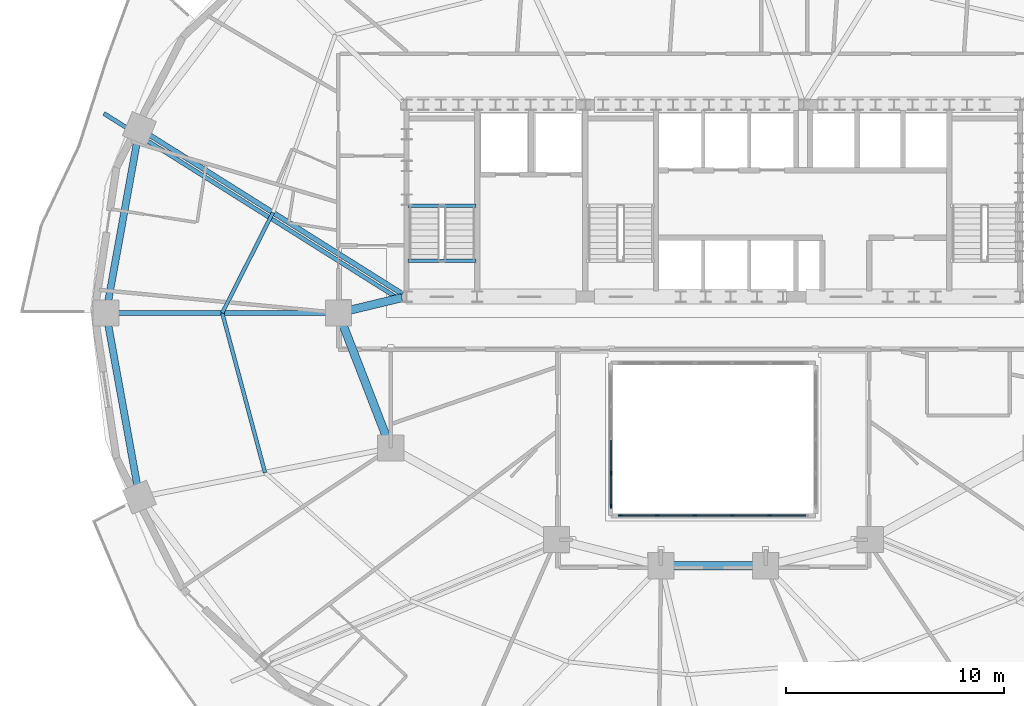
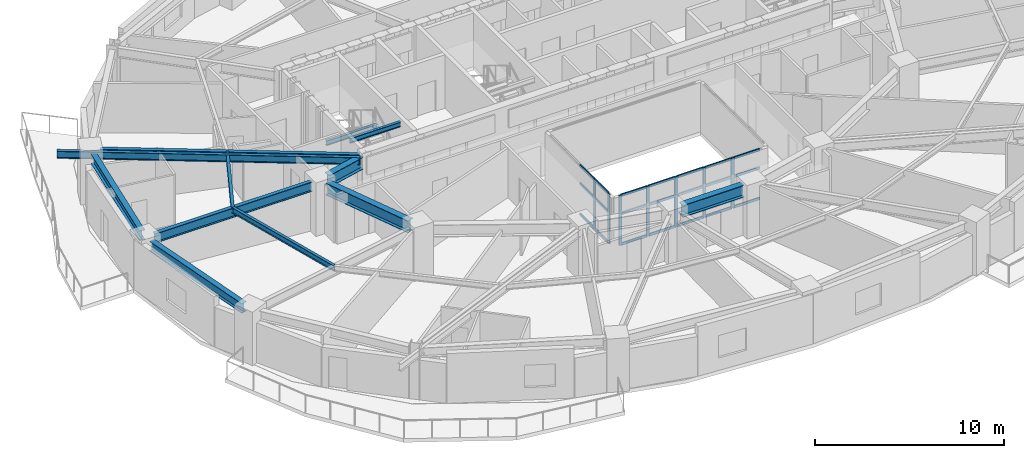
# One storey, part 2 of 14: 28 members, 12 beams, 2 elements without a shape of their own.
"""IFC4 building model written with IfcOpenShell, lengths in metres."""

from ifc_helpers import new_model, si_unit, direction, frame, origin, origin_2d, place, context, subcontext, project, spatial, rectangle, i_section, extrude, material, material_profile, profile_set, type_object, element, aggregate, save


model = new_model("IFC4")

# Units and contexts
model_context = context("Model", 3, precision=1e-05, world=origin(), true_north=direction((0.0, 1.0)))
body_context = subcontext(model_context, "Body", "Model", "MODEL_VIEW")
ifc_project = project(units=[si_unit("LENGTHUNIT", "METRE"), si_unit("AREAUNIT", "SQUARE_METRE"), si_unit("VOLUMEUNIT", "CUBIC_METRE"), si_unit("PLANEANGLEUNIT", "RADIAN"), si_unit("MASSUNIT", "GRAM", prefix="KILO")], contexts=[model_context])

# Site, building, storey
site_placement = place(None, origin())
site = spatial("IfcSite", under=ifc_project, at=site_placement, CompositionType="ELEMENT")
building_placement = place(site_placement, origin())
building = spatial("IfcBuilding", under=site, at=building_placement, Name="Haldorwick Loom Tower", CompositionType="ELEMENT")
storey_placement = place(building_placement, frame((0.0, 0.0, 99.050048828125)))
storey = spatial("IfcBuildingStorey", under=building, at=storey_placement, Name="L26", CompositionType="ELEMENT", Elevation=99.050048828125)

# Curtain wall, members
ifc_material_1 = material(Name="Thermally Broken Anodized Aluminium Curtain Wall Framing", Category="aluminium")
curtain_wall_type = type_object("IfcCurtainWallType", Name="ARC-CW-03", PredefinedType="NOTDEFINED", material=ifc_material_1)
curtain_wall_1_placement = place(storey_placement, origin())
curtain_wall_1 = element("IfcCurtainWall", 1, at=curtain_wall_1_placement, inside=storey, type_object=curtain_wall_type, Name="L26 Atrium Glazed Screen S", PredefinedType="NOTDEFINED")
ifc_material_profile_1 = material_profile(ifc_material_1, rectangle(XDim=0.06591796875, YDim=0.18505859375, at=origin_2d()), Name="ALU_MUL_66X185", Category="aluminium")
ifc_profile_set_1 = profile_set([ifc_material_profile_1], Name="Thermally Broken Anodized Aluminium Curtain Wall Framing")
member_type_1 = type_object("IfcMemberType", Name="ARC-CWM-03", PredefinedType="MULLION", material=ifc_profile_set_1)
member_1_placement = place(storey_placement, frame((38.580078125, 16.699951171875, 0.0), z_axis=(0.0, 0.0, 1.0), x_axis=(0.0, -1.0, 0.0)))
member_1 = element("IfcMember", 2, at=member_1_placement, type_object=member_type_1, Name="CW-03 mullion 2", PredefinedType="MULLION", context=body_context, shape_type="SweptSolid", body=[
    extrude(rectangle(XDim=0.06591796875, YDim=0.18505859375, at=origin_2d()), origin(), (0.0, 0.0, 1.0), 3.2099609375),
])
member_2_placement = place(storey_placement, frame((36.860107421875, 16.699951171875, 0.0), z_axis=(0.0, 0.0, 1.0), x_axis=(0.0, -1.0, 0.0)))
member_2 = element("IfcMember", 3, at=member_2_placement, type_object=member_type_1, Name="CW-03 mullion 3", PredefinedType="MULLION", context=body_context, shape_type="SweptSolid", body=[
    extrude(rectangle(XDim=0.06591796875, YDim=0.18505859375, at=origin_2d()), origin(), (0.0, 0.0, 1.0), 3.2099609375),
])
member_3_placement = place(storey_placement, frame((35.139892578125, 16.699951171875, 0.0), z_axis=(0.0, 0.0, 1.0), x_axis=(0.0, -1.0, 0.0)))
member_3 = element("IfcMember", 4, at=member_3_placement, type_object=member_type_1, Name="CW-03 mullion 4", PredefinedType="MULLION", context=body_context, shape_type="SweptSolid", body=[
    extrude(rectangle(XDim=0.06591796875, YDim=0.18505859375, at=origin_2d()), origin(), (0.0, 0.0, 1.0), 3.2099609375),
])
member_4_placement = place(storey_placement, frame((33.419921875, 16.699951171875, 0.0), z_axis=(0.0, 0.0, 1.0), x_axis=(0.0, -1.0, 0.0)))
member_4 = element("IfcMember", 5, at=member_4_placement, type_object=member_type_1, Name="CW-03 mullion 5", PredefinedType="MULLION", context=body_context, shape_type="SweptSolid", body=[
    extrude(rectangle(XDim=0.06591796875, YDim=0.18505859375, at=origin_2d()), origin(), (0.0, 0.0, 1.0), 3.2099609375),
])
member_5_placement = place(storey_placement, frame((31.73291015625, 16.699951171875, 0.0), z_axis=(0.0, 0.0, 1.0), x_axis=(0.0, -1.0, 0.0)))
member_5 = element("IfcMember", 6, at=member_5_placement, type_object=member_type_1, Name="CW-03 mullion 6", PredefinedType="MULLION", context=body_context, shape_type="SweptSolid", body=[
    extrude(rectangle(XDim=0.06591796875, YDim=0.18505859375, at=origin_2d()), origin(), (0.0, 0.0, 1.0), 3.2099609375),
])

curtain_wall_2_placement = place(storey_placement, origin())
curtain_wall_2 = element("IfcCurtainWall", 7, at=curtain_wall_2_placement, inside=storey, type_object=curtain_wall_type, Name="L26 Atrium Glazed Screen W", PredefinedType="NOTDEFINED")
member_6_placement = place(storey_placement, frame((31.300048828125, 17.133056640625, 0.0), z_axis=(0.0, 0.0, 1.0), x_axis=(-1.0, 0.0, 0.0)))
member_6 = element("IfcMember", 8, at=member_6_placement, type_object=member_type_1, Name="CW-03 mullion 1", PredefinedType="MULLION", context=body_context, shape_type="SweptSolid", body=[
    extrude(rectangle(XDim=0.06591796875, YDim=0.18505859375, at=origin_2d()), origin(), (0.0, 0.0, 1.0), 3.2099609375),
])
member_7_placement = place(storey_placement, frame((31.300048828125, 18.64990234375, 0.0), z_axis=(0.0, 0.0, 1.0), x_axis=(-1.0, 0.0, 0.0)))
member_7 = element("IfcMember", 9, at=member_7_placement, type_object=member_type_1, Name="CW-03 mullion 2", PredefinedType="MULLION", context=body_context, shape_type="SweptSolid", body=[
    extrude(rectangle(XDim=0.06591796875, YDim=0.18505859375, at=origin_2d()), origin(), (0.0, 0.0, 1.0), 3.2099609375),
])

# Member
ifc_material_profile_2 = material_profile(ifc_material_1, rectangle(XDim=0.06591796875, YDim=0.1650390625, at=origin_2d()), Name="ALU_TRN_66X165", Category="aluminium")
ifc_profile_set_2 = profile_set([ifc_material_profile_2], Name="Thermally Broken Anodized Aluminium Curtain Wall Framing")
member_type_2 = type_object("IfcMemberType", Name="ARC-CWT-03", PredefinedType="USERDEFINED", material=ifc_profile_set_2)
member_8_placement = place(storey_placement, frame((40.23388671875, 16.699951171875, 0.032958984375), z_axis=(-1.0, 0.0, 0.0), x_axis=(0.0, -1.0, 0.0)))
member_8 = element("IfcMember", 10, at=member_8_placement, type_object=member_type_2, Name="CW-03 transom 1.1", ObjectType="TRANSOM", PredefinedType="USERDEFINED", context=body_context, shape_type="SweptSolid", body=[
    extrude(rectangle(XDim=0.06591796875, YDim=0.1650390625, at=origin_2d()), origin(), (0.0, 0.0, 1.0), 1.620849609375),
])

member_9_placement = place(storey_placement, frame((40.23388671875, 16.699951171875, 2.0), z_axis=(-1.0, 0.0, 0.0), x_axis=(0.0, -1.0, 0.0)))
member_9 = element("IfcMember", 11, at=member_9_placement, type_object=member_type_2, Name="CW-03 transom 1.2", ObjectType="TRANSOM", PredefinedType="USERDEFINED", context=body_context, shape_type="SweptSolid", body=[
    extrude(rectangle(XDim=0.06591796875, YDim=0.1650390625, at=origin_2d()), origin(), (0.0, 0.0, 1.0), 1.620849609375),
])

member_10_placement = place(storey_placement, frame((40.23388671875, 16.699951171875, 3.177001953125), z_axis=(-1.0, 0.0, 0.0), x_axis=(0.0, -1.0, 0.0)))
member_10 = element("IfcMember", 12, at=member_10_placement, type_object=member_type_2, Name="CW-03 transom 1.3", ObjectType="TRANSOM", PredefinedType="USERDEFINED", context=body_context, shape_type="SweptSolid", body=[
    extrude(rectangle(XDim=0.06591796875, YDim=0.1650390625, at=origin_2d()), origin(), (0.0, 0.0, 1.0), 1.620849609375),
])

member_11_placement = place(storey_placement, frame((38.547119140625, 16.699951171875, 0.032958984375), z_axis=(-1.0, 0.0, 0.0), x_axis=(0.0, -1.0, 0.0)))
member_11 = element("IfcMember", 13, at=member_11_placement, type_object=member_type_2, Name="CW-03 transom 2.1", ObjectType="TRANSOM", PredefinedType="USERDEFINED", context=body_context, shape_type="SweptSolid", body=[
    extrude(rectangle(XDim=0.06591796875, YDim=0.1650390625, at=origin_2d()), origin(), (0.0, 0.0, 1.0), 1.654052734375),
])

member_12_placement = place(storey_placement, frame((38.547119140625, 16.699951171875, 2.0), z_axis=(-1.0, 0.0, 0.0), x_axis=(0.0, -1.0, 0.0)))
member_12 = element("IfcMember", 14, at=member_12_placement, type_object=member_type_2, Name="CW-03 transom 2.2", ObjectType="TRANSOM", PredefinedType="USERDEFINED", context=body_context, shape_type="SweptSolid", body=[
    extrude(rectangle(XDim=0.06591796875, YDim=0.1650390625, at=origin_2d()), origin(), (0.0, 0.0, 1.0), 1.654052734375),
])

member_13_placement = place(storey_placement, frame((38.547119140625, 16.699951171875, 3.177001953125), z_axis=(-1.0, 0.0, 0.0), x_axis=(0.0, -1.0, 0.0)))
member_13 = element("IfcMember", 15, at=member_13_placement, type_object=member_type_2, Name="CW-03 transom 2.3", ObjectType="TRANSOM", PredefinedType="USERDEFINED", context=body_context, shape_type="SweptSolid", body=[
    extrude(rectangle(XDim=0.06591796875, YDim=0.1650390625, at=origin_2d()), origin(), (0.0, 0.0, 1.0), 1.654052734375),
])

member_14_placement = place(storey_placement, frame((36.826904296875, 16.699951171875, 0.032958984375), z_axis=(-1.0, 0.0, 0.0), x_axis=(0.0, -1.0, 0.0)))
member_14 = element("IfcMember", 16, at=member_14_placement, type_object=member_type_2, Name="CW-03 transom 3.1", ObjectType="TRANSOM", PredefinedType="USERDEFINED", context=body_context, shape_type="SweptSolid", body=[
    extrude(rectangle(XDim=0.06591796875, YDim=0.1650390625, at=origin_2d()), origin(), (0.0, 0.0, 1.0), 1.65380859375),
])

member_15_placement = place(storey_placement, frame((36.826904296875, 16.699951171875, 2.0), z_axis=(-1.0, 0.0, 0.0), x_axis=(0.0, -1.0, 0.0)))
member_15 = element("IfcMember", 17, at=member_15_placement, type_object=member_type_2, Name="CW-03 transom 3.2", ObjectType="TRANSOM", PredefinedType="USERDEFINED", context=body_context, shape_type="SweptSolid", body=[
    extrude(rectangle(XDim=0.06591796875, YDim=0.1650390625, at=origin_2d()), origin(), (0.0, 0.0, 1.0), 1.65380859375),
])

member_16_placement = place(storey_placement, frame((36.826904296875, 16.699951171875, 3.177001953125), z_axis=(-1.0, 0.0, 0.0), x_axis=(0.0, -1.0, 0.0)))
member_16 = element("IfcMember", 18, at=member_16_placement, type_object=member_type_2, Name="CW-03 transom 3.3", ObjectType="TRANSOM", PredefinedType="USERDEFINED", context=body_context, shape_type="SweptSolid", body=[
    extrude(rectangle(XDim=0.06591796875, YDim=0.1650390625, at=origin_2d()), origin(), (0.0, 0.0, 1.0), 1.65380859375),
])

member_17_placement = place(storey_placement, frame((35.10693359375, 16.699951171875, 0.032958984375), z_axis=(-1.0, 0.0, 0.0), x_axis=(0.0, -1.0, 0.0)))
member_17 = element("IfcMember", 19, at=member_17_placement, type_object=member_type_2, Name="CW-03 transom 4.1", ObjectType="TRANSOM", PredefinedType="USERDEFINED", context=body_context, shape_type="SweptSolid", body=[
    extrude(rectangle(XDim=0.06591796875, YDim=0.1650390625, at=origin_2d()), origin(), (0.0, 0.0, 1.0), 1.654052734375),
])

member_18_placement = place(storey_placement, frame((35.10693359375, 16.699951171875, 2.0), z_axis=(-1.0, 0.0, 0.0), x_axis=(0.0, -1.0, 0.0)))
member_18 = element("IfcMember", 20, at=member_18_placement, type_object=member_type_2, Name="CW-03 transom 4.2", ObjectType="TRANSOM", PredefinedType="USERDEFINED", context=body_context, shape_type="SweptSolid", body=[
    extrude(rectangle(XDim=0.06591796875, YDim=0.1650390625, at=origin_2d()), origin(), (0.0, 0.0, 1.0), 1.654052734375),
])

member_19_placement = place(storey_placement, frame((35.10693359375, 16.699951171875, 3.177001953125), z_axis=(-1.0, 0.0, 0.0), x_axis=(0.0, -1.0, 0.0)))
member_19 = element("IfcMember", 21, at=member_19_placement, type_object=member_type_2, Name="CW-03 transom 4.3", ObjectType="TRANSOM", PredefinedType="USERDEFINED", context=body_context, shape_type="SweptSolid", body=[
    extrude(rectangle(XDim=0.06591796875, YDim=0.1650390625, at=origin_2d()), origin(), (0.0, 0.0, 1.0), 1.654052734375),
])

member_20_placement = place(storey_placement, frame((33.386962890625, 16.699951171875, 0.032958984375), z_axis=(-1.0, 0.0, 0.0), x_axis=(0.0, -1.0, 0.0)))
member_20 = element("IfcMember", 22, at=member_20_placement, type_object=member_type_2, Name="CW-03 transom 5.1", ObjectType="TRANSOM", PredefinedType="USERDEFINED", context=body_context, shape_type="SweptSolid", body=[
    extrude(rectangle(XDim=0.06591796875, YDim=0.1650390625, at=origin_2d()), origin(), (0.0, 0.0, 1.0), 1.620849609375),
])

member_21_placement = place(storey_placement, frame((33.386962890625, 16.699951171875, 2.0), z_axis=(-1.0, 0.0, 0.0), x_axis=(0.0, -1.0, 0.0)))
member_21 = element("IfcMember", 23, at=member_21_placement, type_object=member_type_2, Name="CW-03 transom 5.2", ObjectType="TRANSOM", PredefinedType="USERDEFINED", context=body_context, shape_type="SweptSolid", body=[
    extrude(rectangle(XDim=0.06591796875, YDim=0.1650390625, at=origin_2d()), origin(), (0.0, 0.0, 1.0), 1.620849609375),
])

member_22_placement = place(storey_placement, frame((33.386962890625, 16.699951171875, 3.177001953125), z_axis=(-1.0, 0.0, 0.0), x_axis=(0.0, -1.0, 0.0)))
member_22 = element("IfcMember", 24, at=member_22_placement, type_object=member_type_2, Name="CW-03 transom 5.3", ObjectType="TRANSOM", PredefinedType="USERDEFINED", context=body_context, shape_type="SweptSolid", body=[
    extrude(rectangle(XDim=0.06591796875, YDim=0.1650390625, at=origin_2d()), origin(), (0.0, 0.0, 1.0), 1.620849609375),
])

aggregate(curtain_wall_1, [member_1, member_2, member_3, member_4, member_5, member_8, member_9, member_10, member_11, member_12, member_13, member_14, member_15, member_16, member_17, member_18, member_19, member_20, member_21, member_22])

member_23_placement = place(storey_placement, frame((31.300048828125, 17.166015625, 0.032958984375), z_axis=(0.0, 1.0, 0.0), x_axis=(-1.0, 0.0, 0.0)))
member_23 = element("IfcMember", 25, at=member_23_placement, type_object=member_type_2, Name="CW-03 transom 1.1", ObjectType="TRANSOM", PredefinedType="USERDEFINED", context=body_context, shape_type="SweptSolid", body=[
    extrude(rectangle(XDim=0.06591796875, YDim=0.1650390625, at=origin_2d()), origin(), (0.0, 0.0, 1.0), 1.450927734375),
])

member_24_placement = place(storey_placement, frame((31.300048828125, 17.166015625, 2.0), z_axis=(0.0, 1.0, 0.0), x_axis=(-1.0, 0.0, 0.0)))
member_24 = element("IfcMember", 26, at=member_24_placement, type_object=member_type_2, Name="CW-03 transom 1.2", ObjectType="TRANSOM", PredefinedType="USERDEFINED", context=body_context, shape_type="SweptSolid", body=[
    extrude(rectangle(XDim=0.06591796875, YDim=0.1650390625, at=origin_2d()), origin(), (0.0, 0.0, 1.0), 1.450927734375),
])

member_25_placement = place(storey_placement, frame((31.300048828125, 17.166015625, 3.177001953125), z_axis=(0.0, 1.0, 0.0), x_axis=(-1.0, 0.0, 0.0)))
member_25 = element("IfcMember", 27, at=member_25_placement, type_object=member_type_2, Name="CW-03 transom 1.3", ObjectType="TRANSOM", PredefinedType="USERDEFINED", context=body_context, shape_type="SweptSolid", body=[
    extrude(rectangle(XDim=0.06591796875, YDim=0.1650390625, at=origin_2d()), origin(), (0.0, 0.0, 1.0), 1.450927734375),
])

member_26_placement = place(storey_placement, frame((31.300048828125, 18.68310546875, 0.032958984375), z_axis=(0.0, 1.0, 0.0), x_axis=(-1.0, 0.0, 0.0)))
member_26 = element("IfcMember", 28, at=member_26_placement, type_object=member_type_2, Name="CW-03 transom 2.1", ObjectType="TRANSOM", PredefinedType="USERDEFINED", context=body_context, shape_type="SweptSolid", body=[
    extrude(rectangle(XDim=0.06591796875, YDim=0.1650390625, at=origin_2d()), origin(), (0.0, 0.0, 1.0), 1.48388671875),
])

member_27_placement = place(storey_placement, frame((31.300048828125, 18.68310546875, 2.0), z_axis=(0.0, 1.0, 0.0), x_axis=(-1.0, 0.0, 0.0)))
member_27 = element("IfcMember", 29, at=member_27_placement, type_object=member_type_2, Name="CW-03 transom 2.2", ObjectType="TRANSOM", PredefinedType="USERDEFINED", context=body_context, shape_type="SweptSolid", body=[
    extrude(rectangle(XDim=0.06591796875, YDim=0.1650390625, at=origin_2d()), origin(), (0.0, 0.0, 1.0), 1.48388671875),
])

member_28_placement = place(storey_placement, frame((31.300048828125, 18.68310546875, 3.177001953125), z_axis=(0.0, 1.0, 0.0), x_axis=(-1.0, 0.0, 0.0)))
member_28 = element("IfcMember", 30, at=member_28_placement, type_object=member_type_2, Name="CW-03 transom 2.3", ObjectType="TRANSOM", PredefinedType="USERDEFINED", context=body_context, shape_type="SweptSolid", body=[
    extrude(rectangle(XDim=0.06591796875, YDim=0.1650390625, at=origin_2d()), origin(), (0.0, 0.0, 1.0), 1.48388671875),
])

aggregate(curtain_wall_2, [member_6, member_7, member_23, member_24, member_25, member_26, member_27, member_28])

# Beams
ifc_material_2 = material(Name="Steel CSA G40.21 350W", Category="steel")
ifc_material_profile_3 = material_profile(ifc_material_2, i_section(OverallWidth=0.193115234375, OverallDepth=0.466064453125, WebThickness=0.011474609375, FlangeThickness=0.01904296875, at=origin_2d()), Name="W460X97", Category="steel")
ifc_profile_set_3 = profile_set([ifc_material_profile_3], Name="Steel CSA G40.21 350W")
beam_type_1 = type_object("IfcBeamType", Name="STR-BM-BAL460", PredefinedType="BEAM", material=ifc_profile_set_3)
beam_1_placement = place(storey_placement, frame((21.590576171875, 26.6328125, 2.97705078125), z_axis=(-0.846621037802, 0.532196221662, 0.0), x_axis=(-0.532196221662, -0.846621037802, 0.0)))
element("IfcBeam", 31, at=beam_1_placement, inside=storey, type_object=beam_type_1, Name="L26 Continuous Back-Spanned Balcony Beam 3", PredefinedType="BEAM", context=body_context, shape_type="SweptSolid", body=[
    extrude(i_section(OverallWidth=0.193115234375, OverallDepth=0.466064453125, WebThickness=0.011474609375, FlangeThickness=0.01904296875, at=origin_2d()), origin(), (0.0, 0.0, 1.0), 16.0068359375),
])
ifc_material_profile_4 = material_profile(ifc_material_2, i_section(OverallWidth=0.172119140625, OverallDepth=0.35791015625, WebThickness=0.0078125, FlangeThickness=0.01318359375, at=origin_2d()), Name="W360X57", Category="steel")
ifc_profile_set_4 = profile_set([ifc_material_profile_4], Name="Steel CSA G40.21 350W")
beam_type_2 = type_object("IfcBeamType", Name="STR-BM-J360", PredefinedType="JOIST", material=ifc_profile_set_4)
beam_2_placement = place(storey_placement, frame((15.7998046875, 30.603515625, 3.031005859375), z_axis=(-0.451373231558, -0.892335254169, 0.0), x_axis=(0.892335254169, -0.451373231558, 0.0)))
element("IfcBeam", 32, at=beam_2_placement, inside=storey, type_object=beam_type_2, Name="L26 Mid-Bay Secondary Joist 8", PredefinedType="JOIST", context=body_context, shape_type="SweptSolid", body=[
    extrude(i_section(OverallWidth=0.172119140625, OverallDepth=0.35791015625, WebThickness=0.0078125, FlangeThickness=0.01318359375, at=origin_2d()), origin(), (0.0, 0.0, 1.0), 5.158935546875),
])
beam_3_placement = place(storey_placement, frame((13.47119140625, 26.0, 3.031005859375), z_axis=(0.258810072536, -0.965928230436, 0.0), x_axis=(0.965928230436, 0.258810072536, 0.0)))
element("IfcBeam", 33, at=beam_3_placement, inside=storey, type_object=beam_type_2, Name="L26 Mid-Bay Secondary Joist 9", PredefinedType="JOIST", context=body_context, shape_type="SweptSolid", body=[
    extrude(i_section(OverallWidth=0.172119140625, OverallDepth=0.35791015625, WebThickness=0.0078125, FlangeThickness=0.01318359375, at=origin_2d()), origin(), (0.0, 0.0, 1.0), 7.587158203125),
])
ifc_material_profile_5 = material_profile(ifc_material_2, i_section(OverallWidth=0.324951171875, OverallDepth=0.615966796875, WebThickness=0.013916015625, FlangeThickness=0.021484375, at=origin_2d()), Name="W610X174", Category="steel")
ifc_profile_set_5 = profile_set([ifc_material_profile_5], Name="Steel CSA G40.21 350W")
beam_type_3 = type_object("IfcBeamType", Name="STR-BM-SP610", PredefinedType="SPANDREL", material=ifc_profile_set_5)
for number, where, z_axis, x_axis, name in (
    (34, (9.576904296875, 33.945556640625, 2.90185546875), (-0.177659490888, -0.984092020747, 0.0), (0.984092020747, -0.177659490888, 0.0), "L26 Perimeter Spandrel 8"),
    (35, (8.23486328125, 25.48828125, 2.90185546875), (0.177659490888, -0.984092020747, 0.0), (0.984092020747, 0.177659490888, 0.0), "L26 Perimeter Spandrel 9"),
):
    element("IfcBeam", number, at=place(storey_placement, frame(where, z_axis=z_axis, x_axis=x_axis)), inside=storey, type_object=beam_type_3, Name=name, PredefinedType="SPANDREL", context=body_context, shape_type="SweptSolid", body=[
        extrude(i_section(OverallWidth=0.324951171875, OverallDepth=0.615966796875, WebThickness=0.013916015625, FlangeThickness=0.021484375, at=origin_2d()), origin(), (0.0, 0.0, 1.0), 7.553955078125),
    ])
ifc_material_profile_6 = material_profile(ifc_material_2, i_section(OverallWidth=0.166015625, OverallDepth=0.31298828125, WebThickness=0.006591796875, FlangeThickness=0.01123046875, at=origin_2d()), Name="W310X45", Category="steel")
ifc_profile_set_6 = profile_set([ifc_material_profile_6], Name="Steel CSA G40.21 350W")
beam_type_4 = type_object("IfcBeamType", Name="STR-BM-STRM", PredefinedType="BEAM", material=ifc_profile_set_6)
for number, where, z_axis, x_axis, name in (
    (36, (21.989990234375, 28.39990234375, 3.053466796875), (1.0, 0.0, 0.0), (0.0, 1.0, 0.0), "L26 Stair ST-01 Landing Edge Trimmer"),
    (37, (21.989990234375, 30.919921875, 1.368408203125), (1.0, 0.0, 0.0), (0.0, 1.0, 0.0), "L26 Stair ST-01 Half-Landing Trimmer 1"),
):
    element("IfcBeam", number, at=place(storey_placement, frame(where, z_axis=z_axis, x_axis=x_axis)), inside=storey, type_object=beam_type_4, Name=name, PredefinedType="BEAM", context=body_context, shape_type="SweptSolid", body=[
        extrude(i_section(OverallWidth=0.166015625, OverallDepth=0.31298828125, WebThickness=0.006591796875, FlangeThickness=0.01123046875, at=origin_2d()), origin(), (0.0, 0.0, 1.0), 3.1201171875),
    ])
ifc_material_profile_7 = material_profile(ifc_material_2, i_section(OverallWidth=0.22998046875, OverallDepth=0.616943359375, WebThickness=0.01318359375, FlangeThickness=0.022216796875, at=origin_2d()), Name="W610X140", Category="steel")
ifc_profile_set_7 = profile_set([ifc_material_profile_7], Name="Steel CSA G40.21 350W")
beam_type_5 = type_object("IfcBeamType", Name="STR-BM-W610B", PredefinedType="BEAM", material=ifc_profile_set_7)
beam_4_placement = place(storey_placement, frame((21.739501953125, 26.86962890625, 2.9013671875), z_axis=(-0.846609551433, 0.532214493811, 0.0), x_axis=(-0.532214493811, -0.846609551433, 0.0)))
element("IfcBeam", 38, at=beam_4_placement, inside=storey, type_object=beam_type_5, Name="L26 Radial Floor Girder 8", PredefinedType="BEAM", context=body_context, shape_type="SweptSolid", body=[
    extrude(i_section(OverallWidth=0.22998046875, OverallDepth=0.616943359375, WebThickness=0.01318359375, FlangeThickness=0.022216796875, at=origin_2d()), origin(), (0.0, 0.0, 1.0), 13.737060546875),
])
beam_5_placement = place(storey_placement, frame((18.280029296875, 26.0, 2.9013671875), z_axis=(-1.0, 0.0, 0.0), x_axis=(0.0, -1.0, 0.0)))
element("IfcBeam", 39, at=beam_5_placement, inside=storey, type_object=beam_type_5, Name="L26 Radial Floor Girder 9", PredefinedType="BEAM", context=body_context, shape_type="SweptSolid", body=[
    extrude(i_section(OverallWidth=0.22998046875, OverallDepth=0.616943359375, WebThickness=0.01318359375, FlangeThickness=0.022216796875, at=origin_2d()), origin(), (0.0, 0.0, 1.0), 9.61767578125),
])
ifc_material_profile_8 = material_profile(ifc_material_2, i_section(OverallWidth=0.381103515625, OverallDepth=0.77294921875, WebThickness=0.0166015625, FlangeThickness=0.027587890625, at=origin_2d()), Name="W760X257", Category="steel")
ifc_profile_set_8 = profile_set([ifc_material_profile_8], Name="Steel CSA G40.21 350W")
beam_type_6 = type_object("IfcBeamType", Name="STR-BM-W760", PredefinedType="BEAM", material=ifc_profile_set_8)
beam_6_placement = place(storey_placement, frame((37.8798828125, 14.39990234375, 2.823486328125), z_axis=(-1.0, 0.0, 0.0), x_axis=(0.0, -1.0, 0.0)))
element("IfcBeam", 40, at=beam_6_placement, inside=storey, type_object=beam_type_6, Name="L26 Inner Ring Girder 5", PredefinedType="BEAM", context=body_context, shape_type="SweptSolid", body=[
    extrude(i_section(OverallWidth=0.381103515625, OverallDepth=0.77294921875, WebThickness=0.0166015625, FlangeThickness=0.027587890625, at=origin_2d()), origin(), (0.0, 0.0, 1.0), 3.759765625),
])
beam_7_placement = place(storey_placement, frame((21.01220703125, 20.284912109375, 2.823486328125), z_axis=(-0.360964792353, 0.93257944363, 0.0), x_axis=(-0.93257944363, -0.360964792353, 0.0)))
element("IfcBeam", 41, at=beam_7_placement, inside=storey, type_object=beam_type_6, Name="L26 Inner Ring Girder 8", PredefinedType="BEAM", context=body_context, shape_type="SweptSolid", body=[
    extrude(i_section(OverallWidth=0.381103515625, OverallDepth=0.77294921875, WebThickness=0.0166015625, FlangeThickness=0.027587890625, at=origin_2d()), origin(), (0.0, 0.0, 1.0), 5.6083984375),
])
beam_8_placement = place(storey_placement, frame((19.3056640625, 26.12109375, 2.823486328125), z_axis=(0.97247055837, 0.233025777764, 0.0), x_axis=(-0.233025777764, 0.97247055837, 0.0)))
element("IfcBeam", 42, at=beam_8_placement, inside=storey, type_object=beam_type_6, Name="L26 Inner Ring Girder 9", PredefinedType="BEAM", context=body_context, shape_type="SweptSolid", body=[
    extrude(i_section(OverallWidth=0.381103515625, OverallDepth=0.77294921875, WebThickness=0.0166015625, FlangeThickness=0.027587890625, at=origin_2d()), origin(), (0.0, 0.0, 1.0), 2.4736328125),
])

save(model, "model.ifc")
